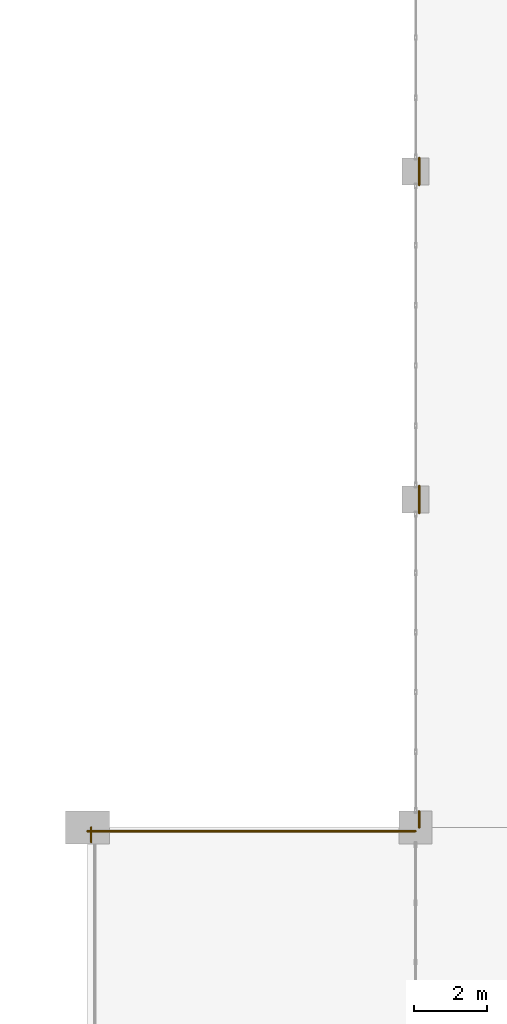
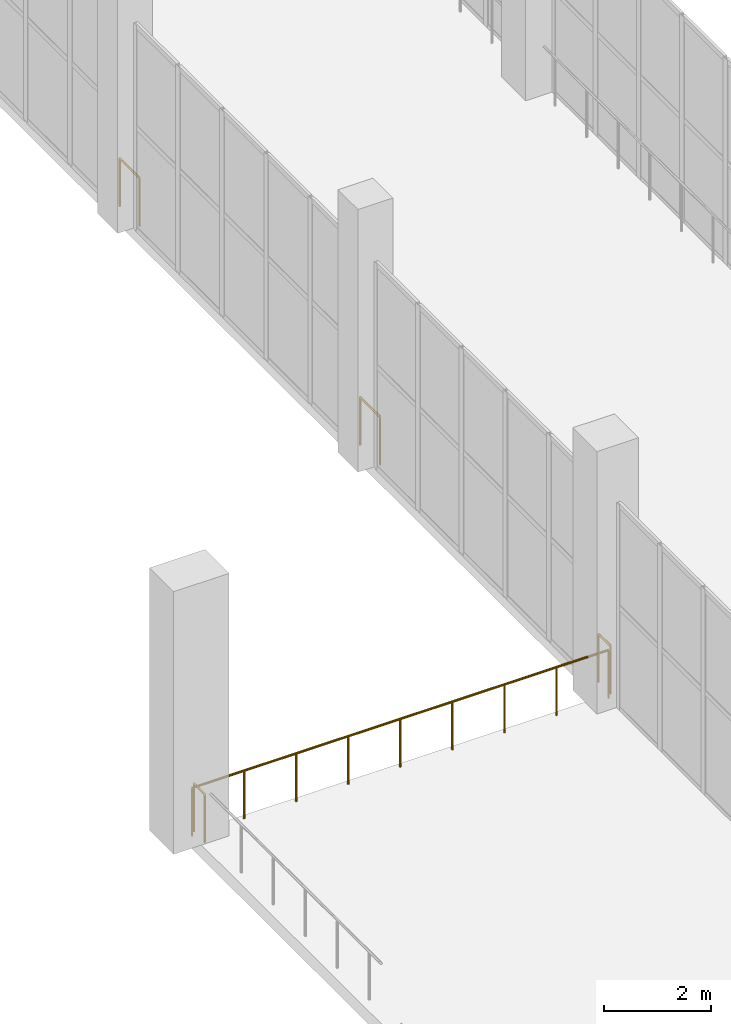
# One storey, part 220 of 223: 5 railings.
"""IFC4 building model written with IfcOpenShell, lengths in metres."""

import ifcopenshell
import ifcopenshell.guid

model = None  # the IFC model being written
_history = None  # IfcOwnerHistory: only IFC2X3 demands one
_inside = {}  # id of a spatial element -> (the spatial element, [elements in it])
_under = {}  # id of a project, library or spatial element -> (it, [spatial elements below it])
_declared = {}  # id of a project -> (the project, [libraries it declares])
_typed = {}  # id of a type object -> (the type object, [elements of that type])
_made_of = {}  # id of a material, layer set ... -> (it, [elements and type objects made of it])


def new_model(schema):
    """Start an empty IFC model of exactly this schema.

    Asked for "IFC4X3", IfcOpenShell would pick the latest addendum, in which some entities
    have other attributes; the version numbers below select the first issue.
    IFC2X3 requires an IfcOwnerHistory on every rooted entity: one is made here for all.
    """
    global model, _history
    if schema == "IFC4X3":
        model = ifcopenshell.file(schema_version=(4, 3, 0, 0))
    else:
        model = ifcopenshell.file(schema=schema)
    _inside.clear()
    _under.clear()
    _declared.clear()
    _typed.clear()
    _made_of.clear()
    _history = None
    if model.schema == "IFC2X3":
        org = make("IfcOrganization", Name="unknown")
        user = make(
            "IfcPersonAndOrganization",
            ThePerson=make("IfcPerson", FamilyName="unknown"),
            TheOrganization=org,
        )
        app = make(
            "IfcApplication",
            ApplicationDeveloper=org,
            Version="unknown",
            ApplicationFullName="unknown",
            ApplicationIdentifier="unknown",
        )
        _history = make(
            "IfcOwnerHistory",
            OwningUser=user,
            OwningApplication=app,
            ChangeAction="ADDED",
            CreationDate=0,
        )
    return model


def make(cls, **values):
    """One entity of the class cls with the attributes given. An attribute that is None is left unset."""
    return model.create_entity(
        cls, **{name: value for name, value in values.items() if value is not None}
    )


def rooted(cls, **values):
    """An entity with a GlobalId (a new one), such as an element, a storey or a relation."""
    return make(cls, GlobalId=ifcopenshell.guid.new(), OwnerHistory=_history, **values)


def si_unit(unit_type, name, prefix=None):
    """IfcSIUnit, for example si_unit("LENGTHUNIT", "METRE", prefix="MILLI")."""
    return make("IfcSIUnit", UnitType=unit_type, Prefix=prefix, Name=name)


def assignment(units):
    """IfcUnitAssignment: the units of a project."""
    return None if units is None else make("IfcUnitAssignment", Units=units)


def point(xyz):
    """IfcCartesianPoint."""
    return None if xyz is None else make("IfcCartesianPoint", Coordinates=xyz)


def direction(xyz):
    """IfcDirection."""
    return None if xyz is None else make("IfcDirection", DirectionRatios=xyz)


def frame(location, z_axis=None, x_axis=None):
    """IfcAxis2Placement3D, a coordinate frame: its origin and axes. An axis left out is left unset."""
    return make(
        "IfcAxis2Placement3D",
        Location=point(location),
        Axis=direction(z_axis),
        RefDirection=direction(x_axis),
    )


def frame_2d(location, x_axis=None):
    """IfcAxis2Placement2D, a coordinate frame in the plane: its origin and x axis."""
    return make(
        "IfcAxis2Placement2D", Location=point(location), RefDirection=direction(x_axis)
    )


def origin():
    """The frame at (0, 0, 0) with its axes left unset."""
    return frame((0.0, 0.0, 0.0))


def origin_2d():
    """The frame at (0, 0) in the plane with its x axis left unset."""
    return frame_2d((0.0, 0.0))


def place(relative_to, where):
    """IfcLocalPlacement: puts the frame where relative to a parent placement (None: the world)."""
    return make(
        "IfcLocalPlacement", PlacementRelTo=relative_to, RelativePlacement=where
    )


def context(
    kind, dimensions, precision=None, world=None, true_north=None, identifier=None
):
    """IfcGeometricRepresentationContext, for example the 3D "Model" context."""
    return make(
        "IfcGeometricRepresentationContext",
        ContextIdentifier=identifier,
        ContextType=kind,
        CoordinateSpaceDimension=dimensions,
        Precision=precision,
        WorldCoordinateSystem=world,
        TrueNorth=true_north,
    )


def subcontext(parent, identifier, kind, view, scale=None):
    """IfcGeometricRepresentationSubContext, for example "Body" below "Model"."""
    return make(
        "IfcGeometricRepresentationSubContext",
        ContextIdentifier=identifier,
        ContextType=kind,
        ParentContext=parent,
        TargetScale=scale,
        TargetView=view,
    )


def project(units=None, contexts=None):
    """IfcProject with its units and contexts."""
    return rooted(
        "IfcProject",
        Name="project",
        RepresentationContexts=contexts,
        UnitsInContext=assignment(units),
    )


def spatial(cls, under=None, at=None, **own):
    """A site, building, storey or space (cls), placed at a placement, below another one or the project."""
    s = rooted(cls, ObjectPlacement=at, **own)
    if under is not None:
        _under.setdefault(under.id(), (under, []))[1].append(s)
    return s


def profile(cls, at=None, kind="AREA", **sizes):
    """A parametric profile (cls). Its sizes go by their IFC names, for example OverallWidth=200.0."""
    return make(cls, ProfileType=kind, Position=at, **sizes)


def circle(**sizes):
    """IfcCircleProfileDef."""
    return profile("IfcCircleProfileDef", **sizes)


def extrude(swept, where, along, depth):
    """IfcExtrudedAreaSolid: the profile swept, set in the frame where, extruded along a direction by depth."""
    return make(
        "IfcExtrudedAreaSolid",
        SweptArea=swept,
        Position=where,
        ExtrudedDirection=direction(along),
        Depth=depth,
    )


def shape(context_of_items, identifier, shape_type, items):
    """IfcShapeRepresentation: the items that make up one representation, for example the "Body"."""
    return make(
        "IfcShapeRepresentation",
        ContextOfItems=context_of_items,
        RepresentationIdentifier=identifier,
        RepresentationType=shape_type,
        Items=items,
    )


def material(Name=None, Category=None):
    """IfcMaterial."""
    return make("IfcMaterial", Name=Name, Category=Category)


def made_of(thing, what):
    """Note that an element or type object is made of a material, layer set ...; save() writes the relation."""
    if what is not None:
        _made_of.setdefault(what.id(), (what, []))[1].append(thing)
    return thing


def type_object(cls, material=None, **own):
    """A type object (cls), such as IfcWallType, which elements share."""
    return made_of(rooted(cls, **own), material)


def element(
    cls,
    number,
    at=None,
    inside=None,
    cuts=None,
    type_object=None,
    material=None,
    context=None,
    identifier="Body",
    shape_type=None,
    held_by="IfcProductDefinitionShape",
    body=None,
    shapes=None,
    **own,
):
    """One element of the class cls, such as IfcWall. Its Tag is "e" and its number.

    at: its placement. inside: the storey or other place that contains it. cuts: it is an
    opening in that element (IfcRelVoidsElement). A single representation is given by context,
    identifier, shape_type and body (its items); several are given by shapes. held_by: the class
    of the entity that holds the representations. save() writes the other relations.
    """
    e = rooted(cls, Tag="e%d" % number, ObjectPlacement=at, **own)
    if body is not None:
        shapes = [shape(context, identifier, shape_type, body)]
    if shapes is not None:
        e.Representation = make(held_by, Representations=shapes)
    if inside is not None:
        _inside.setdefault(inside.id(), (inside, []))[1].append(e)
    if cuts is not None:
        rooted(
            "IfcRelVoidsElement", RelatingBuildingElement=cuts, RelatedOpeningElement=e
        )
    if type_object is not None:
        _typed.setdefault(type_object.id(), (type_object, []))[1].append(e)
    return made_of(e, material)


def aggregate(whole, parts):
    """IfcRelAggregates: a whole, such as a stair, and the parts it consists of."""
    return rooted("IfcRelAggregates", RelatingObject=whole, RelatedObjects=parts)


def save(model, path):
    """Write the relations noted so far, then the file.

    IfcRelAggregates (storeys below a building ...), IfcRelContainedInSpatialStructure (elements
    in a storey), IfcRelDefinesByType, IfcRelAssociatesMaterial and IfcRelDeclares: one each for
    every whole, place, type object, material and project.
    """
    for whole, parts in _under.values():
        aggregate(whole, parts)
    for where, things in _inside.values():
        rooted(
            "IfcRelContainedInSpatialStructure",
            RelatedElements=things,
            RelatingStructure=where,
        )
    for kind, things in _typed.values():
        rooted("IfcRelDefinesByType", RelatedObjects=things, RelatingType=kind)
    for what, things in _made_of.values():
        rooted("IfcRelAssociatesMaterial", RelatedObjects=things, RelatingMaterial=what)
    for by, libraries in _declared.values():
        rooted("IfcRelDeclares", RelatingContext=by, RelatedDefinitions=libraries)
    model.write(path)


model = new_model("IFC4")

# Units and contexts
model_context = context("Model", 3, precision=1e-05, world=origin(), true_north=direction((0.0, 1.0)))
body_context = subcontext(model_context, "Body", "Model", "MODEL_VIEW")
ifc_project = project(units=[si_unit("LENGTHUNIT", "METRE"), si_unit("AREAUNIT", "SQUARE_METRE"), si_unit("VOLUMEUNIT", "CUBIC_METRE"), si_unit("PLANEANGLEUNIT", "RADIAN"), si_unit("MASSUNIT", "GRAM", prefix="KILO")], contexts=[model_context])

# Site, building, storey
site_placement = place(None, origin())
site = spatial("IfcSite", under=ifc_project, at=site_placement, CompositionType="ELEMENT")
building_placement = place(site_placement, origin())
building = spatial("IfcBuilding", under=site, at=building_placement, Name="Dornveld Trade and Exhibition Forum", CompositionType="ELEMENT")
storey_placement = place(building_placement, frame((0.0, 0.0, 6.0)))
storey = spatial("IfcBuildingStorey", under=building, at=storey_placement, Name="L01", CompositionType="ELEMENT", Elevation=6.0)

# Railings
ifc_material = material(Name="Dark-bronze steel and laminated glass balustrade", Category="steel")
railing_type = type_object("IfcRailingType", Name="RL-BALUST-CONC", PredefinedType="BALUSTRADE", material=ifc_material)
railing_1_placement = place(storey_placement, frame((81.10009765625, 134.60009765625, 0.0)))
element("IfcRailing", 1, at=railing_1_placement, inside=storey, type_object=railing_type, Name="L01 deck edge balustrade 11", PredefinedType="BALUSTRADE", context=body_context, shape_type="SweptSolid", body=[
    extrude(circle(Radius=0.02490234375, at=origin_2d()), frame((0.0, 0.0, 1.09521484375), z_axis=(0.0, 1.0, 0.0), x_axis=(-1.0, 0.0, 0.0)), (0.0, 0.0, 1.0), 0.39990234375),
    extrude(circle(Radius=0.02099609375, at=origin_2d()), origin(), (0.0, 0.0, 1.0), 1.070068359375),
    extrude(circle(Radius=0.02099609375, at=origin_2d()), frame((0.0, 0.39990234375, 0.0)), (0.0, 0.0, 1.0), 1.070068359375),
])
railing_2_placement = place(storey_placement, frame((81.0, 134.89990234375, 0.0)))
element("IfcRailing", 2, at=railing_2_placement, inside=storey, type_object=railing_type, Name="L01 deck edge balustrade 12", PredefinedType="BALUSTRADE", context=body_context, shape_type="SweptSolid", body=[
    extrude(circle(Radius=0.02490234375, at=origin_2d()), frame((0.0, 0.0, 1.09521484375), z_axis=(1.0, 0.0, 0.0), x_axis=(0.0, 1.0, 0.0)), (0.0, 0.0, 1.0), 9.0),
    extrude(circle(Radius=0.02099609375, at=origin_2d()), origin(), (0.0, 0.0, 1.0), 1.070068359375),
    extrude(circle(Radius=0.02099609375, at=origin_2d()), frame((1.125, 0.0, 0.0)), (0.0, 0.0, 1.0), 1.070068359375),
    extrude(circle(Radius=0.02099609375, at=origin_2d()), frame((2.25, 0.0, 0.0)), (0.0, 0.0, 1.0), 1.070068359375),
    extrude(circle(Radius=0.02099609375, at=origin_2d()), frame((3.375, 0.0, 0.0)), (0.0, 0.0, 1.0), 1.070068359375),
    extrude(circle(Radius=0.02099609375, at=origin_2d()), frame((4.5, 0.0, 0.0)), (0.0, 0.0, 1.0), 1.070068359375),
    extrude(circle(Radius=0.02099609375, at=origin_2d()), frame((5.625, 0.0, 0.0)), (0.0, 0.0, 1.0), 1.070068359375),
    extrude(circle(Radius=0.02099609375, at=origin_2d()), frame((6.75, 0.0, 0.0)), (0.0, 0.0, 1.0), 1.070068359375),
    extrude(circle(Radius=0.02099609375, at=origin_2d()), frame((7.875, 0.0, 0.0)), (0.0, 0.0, 1.0), 1.070068359375),
    extrude(circle(Radius=0.02099609375, at=origin_2d()), frame((9.0, 0.0, 0.0)), (0.0, 0.0, 1.0), 1.070068359375),
])
railing_3_placement = place(storey_placement, frame((90.10009765625, 135.0, 0.0)))
element("IfcRailing", 3, at=railing_3_placement, inside=storey, type_object=railing_type, Name="L01 deck edge balustrade 13", PredefinedType="BALUSTRADE", context=body_context, shape_type="SweptSolid", body=[
    extrude(circle(Radius=0.02490234375, at=origin_2d()), frame((0.0, 0.0, 1.09521484375), z_axis=(0.0, 1.0, 0.0), x_axis=(-1.0, 0.0, 0.0)), (0.0, 0.0, 1.0), 0.446044921875),
    extrude(circle(Radius=0.02099609375, at=origin_2d()), origin(), (0.0, 0.0, 1.0), 1.070068359375),
    extrude(circle(Radius=0.02099609375, at=origin_2d()), frame((0.0, 0.446044921875, 0.0)), (0.0, 0.0, 1.0), 1.070068359375),
])
for number, where, name in (
    (4, (90.10009765625, 143.62890625, 0.0), "L01 deck edge balustrade 14"),
    (5, (90.10009765625, 152.62890625, 0.0), "L01 deck edge balustrade 15"),
):
    element("IfcRailing", number, at=place(storey_placement, frame(where)), inside=storey, type_object=railing_type, Name=name, PredefinedType="BALUSTRADE", context=body_context, shape_type="SweptSolid", body=[
        extrude(circle(Radius=0.02490234375, at=origin_2d()), frame((0.0, 0.0, 1.09521484375), z_axis=(0.0, 1.0, 0.0), x_axis=(-1.0, 0.0, 0.0)), (0.0, 0.0, 1.0), 0.7421875),
        extrude(circle(Radius=0.02099609375, at=origin_2d()), origin(), (0.0, 0.0, 1.0), 1.070068359375),
        extrude(circle(Radius=0.02099609375, at=origin_2d()), frame((0.0, 0.7421875, 0.0)), (0.0, 0.0, 1.0), 1.070068359375),
    ])

save(model, "model.ifc")
